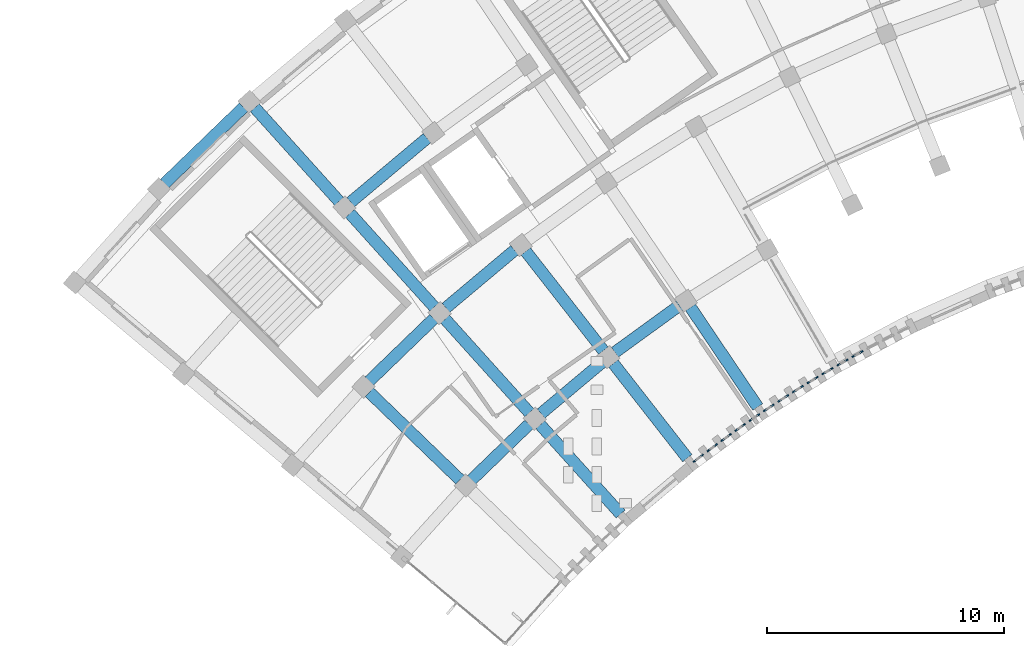
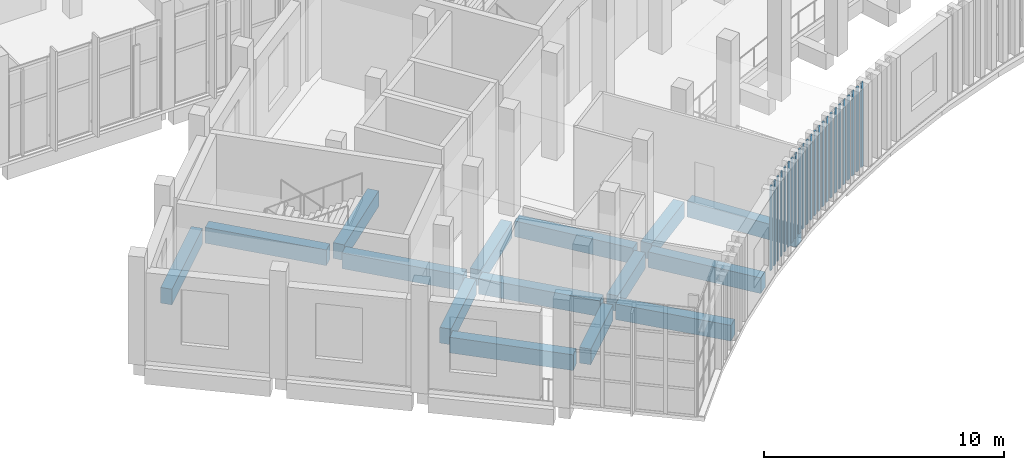
# One storey, part 6 of 112: 24 members, 15 beams, 12 elements without a shape of their own.
"""IFC4 building model written with IfcOpenShell, lengths in metres."""

from ifc_helpers import new_model, si_unit, direction, frame, origin, origin_2d, place, context, subcontext, project, spatial, rectangle, extrude, material, layer, layer_set, material_profile, profile_set, type_object, element, aggregate, save


model = new_model("IFC4")

# Units and contexts
model_context = context("Model", 3, precision=1e-05, world=origin(), true_north=direction((0.0, 1.0)))
body_context = subcontext(model_context, "Body", "Model", "MODEL_VIEW")
ifc_project = project(units=[si_unit("LENGTHUNIT", "METRE"), si_unit("AREAUNIT", "SQUARE_METRE"), si_unit("VOLUMEUNIT", "CUBIC_METRE"), si_unit("PLANEANGLEUNIT", "RADIAN"), si_unit("MASSUNIT", "GRAM", prefix="KILO")], contexts=[model_context])

# Site, building, storey
site_placement = place(None, origin())
site = spatial("IfcSite", under=ifc_project, at=site_placement, CompositionType="ELEMENT")
building_placement = place(site_placement, origin())
building = spatial("IfcBuilding", under=site, at=building_placement, Name="Lunette Opera House", CompositionType="ELEMENT")
storey_placement = place(building_placement, frame((0.0, 0.0, 6.0)))
storey = spatial("IfcBuildingStorey", under=building, at=storey_placement, Name="L01", CompositionType="ELEMENT", Elevation=6.0)

# Curtain wall, members
ifc_material_1 = material(Name="Aluminium", Category="aluminium")
ifc_layer = layer(ifc_material_1, 0.1201171875)
ifc_layer_set = layer_set([ifc_layer], Name="Aluminium")
curtain_wall_type = type_object("IfcCurtainWallType", Name="SLOT CURTAIN WALL", PredefinedType="NOTDEFINED", material=ifc_layer_set)
curtain_wall_1_placement = place(storey_placement, origin())
curtain_wall_1 = element("IfcCurtainWall", 1, at=curtain_wall_1_placement, inside=storey, type_object=curtain_wall_type, Name="Slot Curtain Wall CS006 L01", PredefinedType="NOTDEFINED")
ifc_material_2 = material(Name="Aluminium", Category="aluminium")
ifc_material_profile_1 = material_profile(ifc_material_2, rectangle(XDim=0.06005859375, YDim=0.159912109375, at=origin_2d()), Name="MULLION 60 X 160")
ifc_profile_set_1 = profile_set([ifc_material_profile_1], Name="Aluminium")
member_type = type_object("IfcMemberType", Name="MULLION 60 X 160", PredefinedType="MULLION", material=ifc_profile_set_1)
member_1_placement = place(storey_placement, frame((63.94287109375, 41.3232421875, 0.0), z_axis=(0.0, 0.0, 1.0), x_axis=(-0.610720263036, 0.791846424704, 0.0)))
member_1 = element("IfcMember", 2, at=member_1_placement, type_object=member_type, Name="FC-X2012 mullion 1", PredefinedType="MULLION", context=body_context, shape_type="SweptSolid", body=[
    extrude(rectangle(XDim=0.06005859375, YDim=0.159912109375, at=origin_2d()), origin(), (0.0, 0.0, 1.0), 4.300048828125),
])
member_2_placement = place(storey_placement, frame((64.236328125, 41.549560546875, 0.0), z_axis=(0.0, 0.0, 1.0), x_axis=(-0.610720263036, 0.791846424704, 0.0)))
member_2 = element("IfcMember", 3, at=member_2_placement, type_object=member_type, Name="FC-X2012 mullion 2", PredefinedType="MULLION", context=body_context, shape_type="SweptSolid", body=[
    extrude(rectangle(XDim=0.06005859375, YDim=0.159912109375, at=origin_2d()), origin(), (0.0, 0.0, 1.0), 4.300048828125),
])
aggregate(curtain_wall_1, [member_1, member_2])

curtain_wall_2_placement = place(storey_placement, origin())
curtain_wall_2 = element("IfcCurtainWall", 4, at=curtain_wall_2_placement, inside=storey, type_object=curtain_wall_type, Name="Slot Curtain Wall CS007 L01", PredefinedType="NOTDEFINED")
member_3_placement = place(storey_placement, frame((64.52294921875, 41.766845703125, 0.0), z_axis=(0.0, 0.0, 1.0), x_axis=(-0.598885213026, 0.800834877873, 0.0)))
member_3 = element("IfcMember", 5, at=member_3_placement, type_object=member_type, Name="FC-X2014 mullion 1", PredefinedType="MULLION", context=body_context, shape_type="SweptSolid", body=[
    extrude(rectangle(XDim=0.06005859375, YDim=0.159912109375, at=origin_2d()), origin(), (0.0, 0.0, 1.0), 4.300048828125),
])
member_4_placement = place(storey_placement, frame((64.820068359375, 41.989013671875, 0.0), z_axis=(0.0, 0.0, 1.0), x_axis=(-0.598885213026, 0.800834877873, 0.0)))
member_4 = element("IfcMember", 6, at=member_4_placement, type_object=member_type, Name="FC-X2014 mullion 2", PredefinedType="MULLION", context=body_context, shape_type="SweptSolid", body=[
    extrude(rectangle(XDim=0.06005859375, YDim=0.159912109375, at=origin_2d()), origin(), (0.0, 0.0, 1.0), 4.300048828125),
])
aggregate(curtain_wall_2, [member_3, member_4])

curtain_wall_3_placement = place(storey_placement, origin())
curtain_wall_3 = element("IfcCurtainWall", 7, at=curtain_wall_3_placement, inside=storey, type_object=curtain_wall_type, Name="Slot Curtain Wall CS008 L01", PredefinedType="NOTDEFINED")
member_5_placement = place(storey_placement, frame((65.109375, 42.20263671875, 0.0), z_axis=(0.0, 0.0, 1.0), x_axis=(-0.58803349085, 0.808836580304, 0.0)))
member_5 = element("IfcMember", 8, at=member_5_placement, type_object=member_type, Name="FC-X2016 mullion 1", PredefinedType="MULLION", context=body_context, shape_type="SweptSolid", body=[
    extrude(rectangle(XDim=0.06005859375, YDim=0.159912109375, at=origin_2d()), origin(), (0.0, 0.0, 1.0), 4.300048828125),
])
member_6_placement = place(storey_placement, frame((65.40869140625, 42.42041015625, 0.0), z_axis=(0.0, 0.0, 1.0), x_axis=(-0.58803349085, 0.808836580304, 0.0)))
member_6 = element("IfcMember", 9, at=member_6_placement, type_object=member_type, Name="FC-X2016 mullion 2", PredefinedType="MULLION", context=body_context, shape_type="SweptSolid", body=[
    extrude(rectangle(XDim=0.06005859375, YDim=0.159912109375, at=origin_2d()), origin(), (0.0, 0.0, 1.0), 4.300048828125),
])
aggregate(curtain_wall_3, [member_5, member_6])

curtain_wall_4_placement = place(storey_placement, origin())
curtain_wall_4 = element("IfcCurtainWall", 10, at=curtain_wall_4_placement, inside=storey, type_object=curtain_wall_type, Name="Slot Curtain Wall CS009 L01", PredefinedType="NOTDEFINED")
member_7_placement = place(storey_placement, frame((65.701416015625, 42.62939453125, 0.0), z_axis=(0.0, 0.0, 1.0), x_axis=(-0.575953532436, 0.817482433129, 0.0)))
member_7 = element("IfcMember", 11, at=member_7_placement, type_object=member_type, Name="FC-X2018 mullion 1", PredefinedType="MULLION", context=body_context, shape_type="SweptSolid", body=[
    extrude(rectangle(XDim=0.06005859375, YDim=0.159912109375, at=origin_2d()), origin(), (0.0, 0.0, 1.0), 4.300048828125),
])
member_8_placement = place(storey_placement, frame((66.00439453125, 42.8427734375, 0.0), z_axis=(0.0, 0.0, 1.0), x_axis=(-0.575953532436, 0.817482433129, 0.0)))
member_8 = element("IfcMember", 12, at=member_8_placement, type_object=member_type, Name="FC-X2018 mullion 2", PredefinedType="MULLION", context=body_context, shape_type="SweptSolid", body=[
    extrude(rectangle(XDim=0.06005859375, YDim=0.159912109375, at=origin_2d()), origin(), (0.0, 0.0, 1.0), 4.300048828125),
])
aggregate(curtain_wall_4, [member_7, member_8])

curtain_wall_5_placement = place(storey_placement, origin())
curtain_wall_5 = element("IfcCurtainWall", 13, at=curtain_wall_5_placement, inside=storey, type_object=curtain_wall_type, Name="Slot Curtain Wall CS010 L01", PredefinedType="NOTDEFINED")
member_9_placement = place(storey_placement, frame((66.2998046875, 43.048828125, 0.0), z_axis=(0.0, 0.0, 1.0), x_axis=(-0.56485056548, 0.825193212937, 0.0)))
member_9 = element("IfcMember", 14, at=member_9_placement, type_object=member_type, Name="FC-X2020 mullion 1", PredefinedType="MULLION", context=body_context, shape_type="SweptSolid", body=[
    extrude(rectangle(XDim=0.06005859375, YDim=0.159912109375, at=origin_2d()), origin(), (0.0, 0.0, 1.0), 4.300048828125),
])
member_10_placement = place(storey_placement, frame((66.605224609375, 43.258056640625, 0.0), z_axis=(0.0, 0.0, 1.0), x_axis=(-0.56485056548, 0.825193212937, 0.0)))
member_10 = element("IfcMember", 15, at=member_10_placement, type_object=member_type, Name="FC-X2020 mullion 2", PredefinedType="MULLION", context=body_context, shape_type="SweptSolid", body=[
    extrude(rectangle(XDim=0.06005859375, YDim=0.159912109375, at=origin_2d()), origin(), (0.0, 0.0, 1.0), 4.300048828125),
])
aggregate(curtain_wall_5, [member_9, member_10])

curtain_wall_6_placement = place(storey_placement, origin())
curtain_wall_6 = element("IfcCurtainWall", 16, at=curtain_wall_6_placement, inside=storey, type_object=curtain_wall_type, Name="Slot Curtain Wall CS011 L01", PredefinedType="NOTDEFINED")
member_11_placement = place(storey_placement, frame((66.904052734375, 43.45849609375, 0.0), z_axis=(0.0, 0.0, 1.0), x_axis=(-0.553626122068, 0.832765343277, 0.0)))
member_11 = element("IfcMember", 17, at=member_11_placement, type_object=member_type, Name="FC-X2022 mullion 1", PredefinedType="MULLION", context=body_context, shape_type="SweptSolid", body=[
    extrude(rectangle(XDim=0.06005859375, YDim=0.159912109375, at=origin_2d()), origin(), (0.0, 0.0, 1.0), 4.300048828125),
])
member_12_placement = place(storey_placement, frame((67.2119140625, 43.663330078125, 0.0), z_axis=(0.0, 0.0, 1.0), x_axis=(-0.553626122068, 0.832765343277, 0.0)))
member_12 = element("IfcMember", 18, at=member_12_placement, type_object=member_type, Name="FC-X2022 mullion 2", PredefinedType="MULLION", context=body_context, shape_type="SweptSolid", body=[
    extrude(rectangle(XDim=0.06005859375, YDim=0.159912109375, at=origin_2d()), origin(), (0.0, 0.0, 1.0), 4.300048828125),
])
aggregate(curtain_wall_6, [member_11, member_12])

curtain_wall_7_placement = place(storey_placement, origin())
curtain_wall_7 = element("IfcCurtainWall", 19, at=curtain_wall_7_placement, inside=storey, type_object=curtain_wall_type, Name="Slot Curtain Wall CS012 L01", PredefinedType="NOTDEFINED")
member_13_placement = place(storey_placement, frame((67.51318359375, 43.861328125, 0.0), z_axis=(0.0, 0.0, 1.0), x_axis=(-0.541227111143, 0.840876455946, 0.0)))
member_13 = element("IfcMember", 20, at=member_13_placement, type_object=member_type, Name="FC-X2024 mullion 1", PredefinedType="MULLION", context=body_context, shape_type="SweptSolid", body=[
    extrude(rectangle(XDim=0.06005859375, YDim=0.159912109375, at=origin_2d()), origin(), (0.0, 0.0, 1.0), 4.300048828125),
])
member_14_placement = place(storey_placement, frame((67.82470703125, 44.061767578125, 0.0), z_axis=(0.0, 0.0, 1.0), x_axis=(-0.541227111143, 0.840876455946, 0.0)))
member_14 = element("IfcMember", 21, at=member_14_placement, type_object=member_type, Name="FC-X2024 mullion 2", PredefinedType="MULLION", context=body_context, shape_type="SweptSolid", body=[
    extrude(rectangle(XDim=0.06005859375, YDim=0.159912109375, at=origin_2d()), origin(), (0.0, 0.0, 1.0), 4.300048828125),
])
aggregate(curtain_wall_7, [member_13, member_14])

curtain_wall_8_placement = place(storey_placement, origin())
curtain_wall_8 = element("IfcCurtainWall", 22, at=curtain_wall_8_placement, inside=storey, type_object=curtain_wall_type, Name="Slot Curtain Wall CS013 L01", PredefinedType="NOTDEFINED")
member_15_placement = place(storey_placement, frame((68.12841796875, 44.2548828125, 0.0), z_axis=(0.0, 0.0, 1.0), x_axis=(-0.52979005735, 0.848128819893, 0.0)))
member_15 = element("IfcMember", 23, at=member_15_placement, type_object=member_type, Name="FC-X2026 mullion 1", PredefinedType="MULLION", context=body_context, shape_type="SweptSolid", body=[
    extrude(rectangle(XDim=0.06005859375, YDim=0.159912109375, at=origin_2d()), origin(), (0.0, 0.0, 1.0), 4.300048828125),
])
member_16_placement = place(storey_placement, frame((68.442626953125, 44.451171875, 0.0), z_axis=(0.0, 0.0, 1.0), x_axis=(-0.52979005735, 0.848128819893, 0.0)))
member_16 = element("IfcMember", 24, at=member_16_placement, type_object=member_type, Name="FC-X2026 mullion 2", PredefinedType="MULLION", context=body_context, shape_type="SweptSolid", body=[
    extrude(rectangle(XDim=0.06005859375, YDim=0.159912109375, at=origin_2d()), origin(), (0.0, 0.0, 1.0), 4.300048828125),
])
aggregate(curtain_wall_8, [member_15, member_16])

curtain_wall_9_placement = place(storey_placement, origin())
curtain_wall_9 = element("IfcCurtainWall", 25, at=curtain_wall_9_placement, inside=storey, type_object=curtain_wall_type, Name="Slot Curtain Wall CS014 L01", PredefinedType="NOTDEFINED")
member_17_placement = place(storey_placement, frame((68.74853515625, 44.6396484375, 0.0), z_axis=(0.0, 0.0, 1.0), x_axis=(-0.518250209625, 0.855229045475, 0.0)))
member_17 = element("IfcMember", 26, at=member_17_placement, type_object=member_type, Name="FC-X2028 mullion 1", PredefinedType="MULLION", context=body_context, shape_type="SweptSolid", body=[
    extrude(rectangle(XDim=0.06005859375, YDim=0.159912109375, at=origin_2d()), origin(), (0.0, 0.0, 1.0), 4.300048828125),
])
member_18_placement = place(storey_placement, frame((69.0654296875, 44.83154296875, 0.0), z_axis=(0.0, 0.0, 1.0), x_axis=(-0.518250209625, 0.855229045475, 0.0)))
member_18 = element("IfcMember", 27, at=member_18_placement, type_object=member_type, Name="FC-X2028 mullion 2", PredefinedType="MULLION", context=body_context, shape_type="SweptSolid", body=[
    extrude(rectangle(XDim=0.06005859375, YDim=0.159912109375, at=origin_2d()), origin(), (0.0, 0.0, 1.0), 4.300048828125),
])
aggregate(curtain_wall_9, [member_17, member_18])

curtain_wall_10_placement = place(storey_placement, origin())
curtain_wall_10 = element("IfcCurtainWall", 28, at=curtain_wall_10_placement, inside=storey, type_object=curtain_wall_type, Name="Slot Curtain Wall CS015 L01", PredefinedType="NOTDEFINED")
member_19_placement = place(storey_placement, frame((69.374755859375, 45.01513671875, 0.0), z_axis=(0.0, 0.0, 1.0), x_axis=(-0.506613832884, 0.862173082583, 0.0)))
member_19 = element("IfcMember", 29, at=member_19_placement, type_object=member_type, Name="FC-X2030 mullion 1", PredefinedType="MULLION", context=body_context, shape_type="SweptSolid", body=[
    extrude(rectangle(XDim=0.06005859375, YDim=0.159912109375, at=origin_2d()), origin(), (0.0, 0.0, 1.0), 4.300048828125),
])
member_20_placement = place(storey_placement, frame((69.694091796875, 45.202880859375, 0.0), z_axis=(0.0, 0.0, 1.0), x_axis=(-0.506613832884, 0.862173082583, 0.0)))
member_20 = element("IfcMember", 30, at=member_20_placement, type_object=member_type, Name="FC-X2030 mullion 2", PredefinedType="MULLION", context=body_context, shape_type="SweptSolid", body=[
    extrude(rectangle(XDim=0.06005859375, YDim=0.159912109375, at=origin_2d()), origin(), (0.0, 0.0, 1.0), 4.300048828125),
])
aggregate(curtain_wall_10, [member_19, member_20])

curtain_wall_11_placement = place(storey_placement, origin())
curtain_wall_11 = element("IfcCurtainWall", 31, at=curtain_wall_11_placement, inside=storey, type_object=curtain_wall_type, Name="Slot Curtain Wall CS016 L01", PredefinedType="NOTDEFINED")
member_21_placement = place(storey_placement, frame((70.006103515625, 45.3828125, 0.0), z_axis=(0.0, 0.0, 1.0), x_axis=(-0.493129947711, 0.869955662474, 0.0)))
member_21 = element("IfcMember", 32, at=member_21_placement, type_object=member_type, Name="FC-X2032 mullion 1", PredefinedType="MULLION", context=body_context, shape_type="SweptSolid", body=[
    extrude(rectangle(XDim=0.06005859375, YDim=0.159912109375, at=origin_2d()), origin(), (0.0, 0.0, 1.0), 4.300048828125),
])
member_22_placement = place(storey_placement, frame((70.327880859375, 45.565185546875, 0.0), z_axis=(0.0, 0.0, 1.0), x_axis=(-0.493129947711, 0.869955662474, 0.0)))
member_22 = element("IfcMember", 33, at=member_22_placement, type_object=member_type, Name="FC-X2032 mullion 2", PredefinedType="MULLION", context=body_context, shape_type="SweptSolid", body=[
    extrude(rectangle(XDim=0.06005859375, YDim=0.159912109375, at=origin_2d()), origin(), (0.0, 0.0, 1.0), 4.300048828125),
])
aggregate(curtain_wall_11, [member_21, member_22])

curtain_wall_12_placement = place(storey_placement, origin())
curtain_wall_12 = element("IfcCurtainWall", 34, at=curtain_wall_12_placement, inside=storey, type_object=curtain_wall_type, Name="Slot Curtain Wall CS017 L01", PredefinedType="NOTDEFINED")
member_23_placement = place(storey_placement, frame((70.642333984375, 45.741455078125, 0.0), z_axis=(0.0, 0.0, 1.0), x_axis=(-0.481293842715, 0.876559317425, 0.0)))
member_23 = element("IfcMember", 35, at=member_23_placement, type_object=member_type, Name="FC-X2034 mullion 1", PredefinedType="MULLION", context=body_context, shape_type="SweptSolid", body=[
    extrude(rectangle(XDim=0.06005859375, YDim=0.159912109375, at=origin_2d()), origin(), (0.0, 0.0, 1.0), 4.300048828125),
])
member_24_placement = place(storey_placement, frame((70.966796875, 45.919677734375, 0.0), z_axis=(0.0, 0.0, 1.0), x_axis=(-0.481293842715, 0.876559317425, 0.0)))
member_24 = element("IfcMember", 36, at=member_24_placement, type_object=member_type, Name="FC-X2034 mullion 2", PredefinedType="MULLION", context=body_context, shape_type="SweptSolid", body=[
    extrude(rectangle(XDim=0.06005859375, YDim=0.159912109375, at=origin_2d()), origin(), (0.0, 0.0, 1.0), 4.300048828125),
])
aggregate(curtain_wall_12, [member_23, member_24])

# Beams
ifc_material_3 = material(Name="Concrete C35/45", Category="concrete")
ifc_material_profile_2 = material_profile(ifc_material_3, rectangle(XDim=0.5, YDim=0.800048828125, at=origin_2d()), Name="RC BEAM 500X800")
ifc_profile_set_2 = profile_set([ifc_material_profile_2], Name="Concrete C35/45")
beam_type = type_object("IfcBeamType", Name="RC BEAM 500X800", PredefinedType="BEAM", material=ifc_profile_set_2)
beam_1_placement = place(storey_placement, frame((54.033935546875, 40.52587890625, -0.6201171875), z_axis=(-0.719297872313, 0.694701785579, 0.0), x_axis=(-0.694701785579, -0.719297872313, 0.0)))
element("IfcBeam", 37, at=beam_1_placement, inside=storey, type_object=beam_type, Name="beam-FC-L01-L01-RB-RL-02-2", PredefinedType="BEAM", context=body_context, shape_type="SweptSolid", body=[
    extrude(rectangle(XDim=0.5, YDim=0.800048828125, at=origin_2d()), origin(), (0.0, 0.0, 1.0), 5.3203125),
])
beam_2_placement = place(storey_placement, frame((60.81005859375, 39.08203125, -0.6201171875), z_axis=(-0.66905518217, 0.743212730792, 0.0), x_axis=(-0.743212730792, -0.66905518217, 0.0)))
element("IfcBeam", 38, at=beam_2_placement, inside=storey, type_object=beam_type, Name="beam-FC-L01-L01-RB-RL-03-1", PredefinedType="BEAM", context=body_context, shape_type="SweptSolid", body=[
    extrude(rectangle(XDim=0.5, YDim=0.800048828125, at=origin_2d()), origin(), (0.0, 0.0, 1.0), 5.070068359375),
])
beam_3_placement = place(storey_placement, frame((56.962890625, 43.35498046875, -0.6201171875), z_axis=(-0.669081342806, 0.743189179623, 0.0), x_axis=(-0.743189179623, -0.669081342806, 0.0)))
element("IfcBeam", 39, at=beam_3_placement, inside=storey, type_object=beam_type, Name="beam-FC-L01-L01-RB-RL-03-2", PredefinedType="BEAM", context=body_context, shape_type="SweptSolid", body=[
    extrude(rectangle(XDim=0.5, YDim=0.800048828125, at=origin_2d()), origin(), (0.0, 0.0, 1.0), 5.320556640625),
])
beam_4_placement = place(storey_placement, frame((52.947998046875, 47.81396484375, -0.6201171875), z_axis=(-0.66919796217, 0.743084172505, 0.0), x_axis=(-0.743084172505, -0.66919796217, 0.0)))
element("IfcBeam", 40, at=beam_4_placement, inside=storey, type_object=beam_type, Name="beam-FC-L01-L01-RB-RL-03-3", PredefinedType="BEAM", context=body_context, shape_type="SweptSolid", body=[
    extrude(rectangle(XDim=0.5, YDim=0.800048828125, at=origin_2d()), origin(), (0.0, 0.0, 1.0), 5.31982421875),
])
beam_5_placement = place(storey_placement, frame((48.93310546875, 52.27294921875, -0.6201171875), z_axis=(-0.669096581874, 0.743175459851, 0.0), x_axis=(-0.743175459851, -0.669096581874, 0.0)))
element("IfcBeam", 41, at=beam_5_placement, inside=storey, type_object=beam_type, Name="beam-FC-L01-L01-RB-RL-03-4", PredefinedType="BEAM", context=body_context, shape_type="SweptSolid", body=[
    extrude(rectangle(XDim=0.5, YDim=0.800048828125, at=origin_2d()), origin(), (0.0, 0.0, 1.0), 5.3193359375),
])
beam_6_placement = place(storey_placement, frame((63.6220703125, 41.44091796875, -0.6201171875), z_axis=(-0.615539387219, 0.788106124061, 0.0), x_axis=(-0.788106124061, -0.615539387219, 0.0)))
element("IfcBeam", 42, at=beam_6_placement, inside=storey, type_object=beam_type, Name="beam-FC-L01-L01-RB-RL-04-1", PredefinedType="BEAM", context=body_context, shape_type="SweptSolid", body=[
    extrude(rectangle(XDim=0.5, YDim=0.800048828125, at=origin_2d()), origin(), (0.0, 0.0, 1.0), 5.070556640625),
])
beam_7_placement = place(storey_placement, frame((60.08203125, 45.972900390625, -0.6201171875), z_axis=(-0.615648494847, 0.788020894896, 0.0), x_axis=(-0.788020894896, -0.615648494847, 0.0)))
element("IfcBeam", 43, at=beam_7_placement, inside=storey, type_object=beam_type, Name="beam-FC-L01-L01-RB-RL-04-2", PredefinedType="BEAM", context=body_context, shape_type="SweptSolid", body=[
    extrude(rectangle(XDim=0.5, YDim=0.800048828125, at=origin_2d()), origin(), (0.0, 0.0, 1.0), 5.31982421875),
])
beam_8_placement = place(storey_placement, frame((66.592041015625, 43.59912109375, -0.6201171875), z_axis=(-0.559204020716, 0.82903007377, 0.0), x_axis=(-0.82903007377, -0.559204020716, 0.0)))
element("IfcBeam", 44, at=beam_8_placement, inside=storey, type_object=beam_type, Name="beam-FC-L01-L01-RB-RL-05-1", PredefinedType="BEAM", context=body_context, shape_type="SweptSolid", body=[
    extrude(rectangle(XDim=0.5, YDim=0.800048828125, at=origin_2d()), origin(), (0.0, 0.0, 1.0), 5.069580078125),
])
beam_9_placement = place(storey_placement, frame((54.52294921875, 40.52587890625, -0.6201171875), z_axis=(0.719180338661, 0.69482345994, 0.0), x_axis=(-0.69482345994, 0.719180338661, 0.0)))
element("IfcBeam", 45, at=beam_9_placement, inside=storey, type_object=beam_type, Name="beam-FC-L01-L01-RG-AR-M1-RL-02", PredefinedType="BEAM", context=body_context, shape_type="SweptSolid", body=[
    extrude(rectangle(XDim=0.5, YDim=0.800048828125, at=origin_2d()), origin(), (0.0, 0.0, 1.0), 3.367919921875),
])
beam_10_placement = place(storey_placement, frame((57.450927734375, 43.321044921875, -0.6201171875), z_axis=(0.766030340985, 0.642804415581, 0.0), x_axis=(-0.642804415581, 0.766030340985, 0.0)))
element("IfcBeam", 46, at=beam_10_placement, inside=storey, type_object=beam_type, Name="beam-FC-L01-L01-RG-AR-M1-RL-03", PredefinedType="BEAM", context=body_context, shape_type="SweptSolid", body=[
    extrude(rectangle(XDim=0.5, YDim=0.800048828125, at=origin_2d()), origin(), (0.0, 0.0, 1.0), 3.3681640625),
])
beam_11_placement = place(storey_placement, frame((60.56689453125, 45.905029296875, -0.6201171875), z_axis=(0.809143406589, 0.587611221449, 0.0), x_axis=(-0.587611221449, 0.809143406589, 0.0)))
element("IfcBeam", 47, at=beam_11_placement, inside=storey, type_object=beam_type, Name="beam-FC-L01-L01-RG-AR-M1-RL-04", PredefinedType="BEAM", context=body_context, shape_type="SweptSolid", body=[
    extrude(rectangle(XDim=0.5, YDim=0.800048828125, at=origin_2d()), origin(), (0.0, 0.0, 1.0), 3.367919921875),
])
beam_12_placement = place(storey_placement, frame((50.20703125, 44.694091796875, -0.6201171875), z_axis=(0.719281477896, 0.694718760043, 0.0), x_axis=(-0.694718760043, 0.719281477896, 0.0)))
element("IfcBeam", 48, at=beam_12_placement, inside=storey, type_object=beam_type, Name="beam-FC-L01-L01-RG-AR-B-RL-02", PredefinedType="BEAM", context=body_context, shape_type="SweptSolid", body=[
    extrude(rectangle(XDim=0.5, YDim=0.800048828125, at=origin_2d()), origin(), (0.0, 0.0, 1.0), 3.786865234375),
])
beam_13_placement = place(storey_placement, frame((53.43701171875, 47.780029296875, -0.6201171875), z_axis=(0.76594363351, 0.642907730771, 0.0), x_axis=(-0.642907730771, 0.76594363351, 0.0)))
element("IfcBeam", 49, at=beam_13_placement, inside=storey, type_object=beam_type, Name="beam-FC-L01-L01-RG-AR-B-RL-03", PredefinedType="BEAM", context=body_context, shape_type="SweptSolid", body=[
    extrude(rectangle(XDim=0.5, YDim=0.800048828125, at=origin_2d()), origin(), (0.0, 0.0, 1.0), 3.7861328125),
])
beam_14_placement = place(storey_placement, frame((49.422119140625, 52.239013671875, -0.6201171875), z_axis=(0.766022755014, 0.642813455678, 0.0), x_axis=(-0.642813455678, 0.766022755014, 0.0)))
element("IfcBeam", 50, at=beam_14_placement, inside=storey, type_object=beam_type, Name="beam-FC-L01-L01-RG-AR-M2-RL-03", PredefinedType="BEAM", context=body_context, shape_type="SweptSolid", body=[
    extrude(rectangle(XDim=0.5, YDim=0.800048828125, at=origin_2d()), origin(), (0.0, 0.0, 1.0), 4.204833984375),
])
beam_15_placement = place(storey_placement, frame((41.574951171875, 53.030029296875, -0.6201171875), z_axis=(0.719223136798, 0.694779158794, 0.0), x_axis=(-0.694779158794, 0.719223136798, 0.0)))
element("IfcBeam", 51, at=beam_15_placement, inside=storey, type_object=beam_type, Name="beam-FC-L01-L01-RG-AR-C-RL-02", PredefinedType="BEAM", context=body_context, shape_type="SweptSolid", body=[
    extrude(rectangle(XDim=0.5, YDim=0.800048828125, at=origin_2d()), origin(), (0.0, 0.0, 1.0), 4.624267578125),
])

save(model, "model.ifc")
